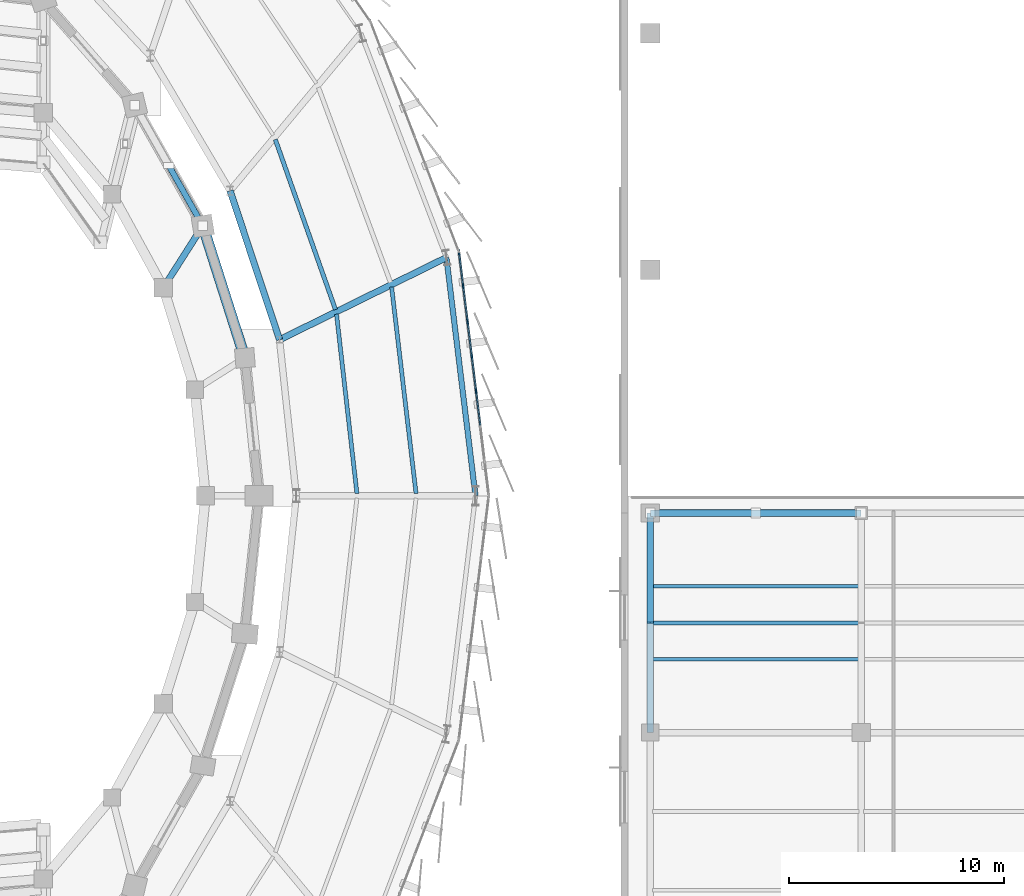
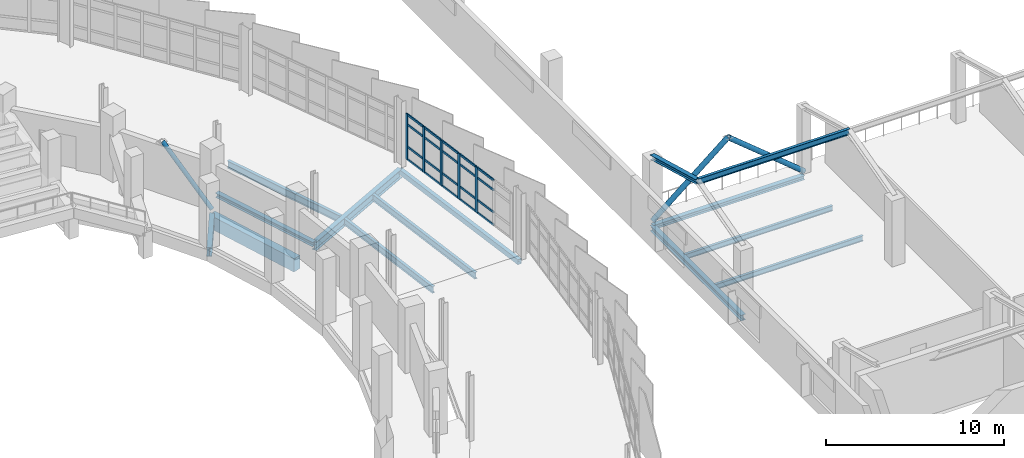
# One storey, part 67 of 120: 28 members, 14 beams, 1 element without a shape of its own.
"""IFC4 building model written with IfcOpenShell, lengths in metres."""

from ifc_helpers import new_model, si_unit, direction, frame, origin, origin_2d, place, context, subcontext, project, spatial, rectangle, hollow_rectangle, hollow_circle, i_section, extrude, material, layer, layer_set, material_profile, profile_set, type_object, element, aggregate, save


model = new_model("IFC4")

# Units and contexts
model_context = context("Model", 3, precision=1e-05, world=origin(), true_north=direction((0.0, 1.0)))
body_context = subcontext(model_context, "Body", "Model", "MODEL_VIEW")
ifc_project = project(units=[si_unit("LENGTHUNIT", "METRE"), si_unit("AREAUNIT", "SQUARE_METRE"), si_unit("VOLUMEUNIT", "CUBIC_METRE"), si_unit("PLANEANGLEUNIT", "RADIAN"), si_unit("MASSUNIT", "GRAM", prefix="KILO")], contexts=[model_context])

# Site, building, storey
site_placement = place(None, origin())
site = spatial("IfcSite", under=ifc_project, at=site_placement, CompositionType="ELEMENT")
building_placement = place(site_placement, origin())
building = spatial("IfcBuilding", under=site, at=building_placement, Name="Sohan Crest Arena", CompositionType="ELEMENT")
storey_placement = place(building_placement, frame((0.0, 0.0, 13.5)))
storey = spatial("IfcBuildingStorey", under=building, at=storey_placement, Name="L03", CompositionType="ELEMENT", Elevation=13.5)

# Curtain wall, members
ifc_material_1 = material(Name="Thermally broken anodised aluminium", Category="aluminium")
ifc_layer = layer(ifc_material_1, 0.2099609375, Name="Thermally broken anodised aluminium")
ifc_layer_set = layer_set([ifc_layer], Name="Thermally broken anodised aluminium")
curtain_wall_type = type_object("IfcCurtainWallType", Name="ARC-CW06", PredefinedType="NOTDEFINED", material=ifc_layer_set)
curtain_wall_placement = place(storey_placement, origin())
curtain_wall = element("IfcCurtainWall", 1, at=curtain_wall_placement, inside=storey, type_object=curtain_wall_type, Name="Unitised curtain wall CW-101", PredefinedType="NOTDEFINED")
ifc_material_profile_1 = material_profile(ifc_material_1, rectangle(XDim=0.074951171875, YDim=0.219970703125, at=origin_2d()), Name="ALU-MULL 75x220")
ifc_profile_set_1 = profile_set([ifc_material_profile_1], Name="Thermally broken anodised aluminium")
member_type_1 = type_object("IfcMemberType", Name="ARC-CW-ML04", PredefinedType="MULLION", material=ifc_profile_set_1)
member_1_placement = place(storey_placement, frame((188.10302734375, 82.865966796875, 0.0), z_axis=(0.0, 0.0, 1.0), x_axis=(-0.992536588605, -0.121947202838, 0.0)))
member_1 = element("IfcMember", 2, at=member_1_placement, type_object=member_type_1, Name="CW-101 mullion 4", PredefinedType="MULLION", context=body_context, shape_type="SweptSolid", body=[
    extrude(rectangle(XDim=0.074951171875, YDim=0.219970703125, at=origin_2d()), origin(), (0.0, 0.0, 1.0), 3.1201171875),
])
member_2_placement = place(storey_placement, frame((187.90380859375, 84.488037109375, 0.0), z_axis=(0.0, 0.0, 1.0), x_axis=(-0.992536588605, -0.121947202838, 0.0)))
member_2 = element("IfcMember", 3, at=member_2_placement, type_object=member_type_1, Name="CW-101 mullion 5", PredefinedType="MULLION", context=body_context, shape_type="SweptSolid", body=[
    extrude(rectangle(XDim=0.074951171875, YDim=0.219970703125, at=origin_2d()), origin(), (0.0, 0.0, 1.0), 3.1201171875),
])
member_3_placement = place(storey_placement, frame((187.70458984375, 86.110107421875, 0.0), z_axis=(0.0, 0.0, 1.0), x_axis=(-0.992536588605, -0.121947202838, 0.0)))
member_3 = element("IfcMember", 4, at=member_3_placement, type_object=member_type_1, Name="CW-101 mullion 6", PredefinedType="MULLION", context=body_context, shape_type="SweptSolid", body=[
    extrude(rectangle(XDim=0.074951171875, YDim=0.219970703125, at=origin_2d()), origin(), (0.0, 0.0, 1.0), 3.1201171875),
])
member_4_placement = place(storey_placement, frame((187.50537109375, 87.73193359375, 0.0), z_axis=(0.0, 0.0, 1.0), x_axis=(-0.992536588605, -0.121947202838, 0.0)))
member_4 = element("IfcMember", 5, at=member_4_placement, type_object=member_type_1, Name="CW-101 mullion 7", PredefinedType="MULLION", context=body_context, shape_type="SweptSolid", body=[
    extrude(rectangle(XDim=0.074951171875, YDim=0.219970703125, at=origin_2d()), origin(), (0.0, 0.0, 1.0), 3.1201171875),
])
member_5_placement = place(storey_placement, frame((187.310546875, 89.31689453125, 0.0), z_axis=(0.0, 0.0, 1.0), x_axis=(-0.992536588605, -0.121947202838, 0.0)))
member_5 = element("IfcMember", 6, at=member_5_placement, type_object=member_type_1, Name="CW-101 mullion 8", PredefinedType="MULLION", context=body_context, shape_type="SweptSolid", body=[
    extrude(rectangle(XDim=0.074951171875, YDim=0.219970703125, at=origin_2d()), origin(), (0.0, 0.0, 1.0), 3.1201171875),
])
ifc_material_profile_2 = material_profile(ifc_material_1, rectangle(XDim=0.070068359375, YDim=0.14990234375, at=origin_2d()), Name="ALU-TRAN 70x150")
ifc_profile_set_2 = profile_set([ifc_material_profile_2], Name="Thermally broken anodised aluminium")
member_type_2 = type_object("IfcMemberType", Name="ARC-CW-TR03", PredefinedType="USERDEFINED", material=ifc_profile_set_2)
member_6_placement = place(storey_placement, frame((188.2978515625, 81.28125, 0.034912109375), z_axis=(-0.121972485011, 0.992533482005, 0.0), x_axis=(-0.992533482005, -0.121972485011, 0.0)))
member_6 = element("IfcMember", 7, at=member_6_placement, type_object=member_type_2, Name="CW-101 transom 3.1", ObjectType="TRANSOM", PredefinedType="USERDEFINED", context=body_context, shape_type="SweptSolid", body=[
    extrude(rectangle(XDim=0.070068359375, YDim=0.14990234375, at=origin_2d()), origin(), (0.0, 0.0, 1.0), 1.559326171875),
])
member_7_placement = place(storey_placement, frame((188.2978515625, 81.28125, 0.89990234375), z_axis=(-0.121972485011, 0.992533482005, 0.0), x_axis=(-0.992533482005, -0.121972485011, 0.0)))
member_7 = element("IfcMember", 8, at=member_7_placement, type_object=member_type_2, Name="CW-101 transom 3.2", ObjectType="TRANSOM", PredefinedType="USERDEFINED", context=body_context, shape_type="SweptSolid", body=[
    extrude(rectangle(XDim=0.070068359375, YDim=0.14990234375, at=origin_2d()), origin(), (0.0, 0.0, 1.0), 1.559326171875),
])
member_8_placement = place(storey_placement, frame((188.2978515625, 81.28125, 2.419921875), z_axis=(-0.121972485011, 0.992533482005, 0.0), x_axis=(-0.992533482005, -0.121972485011, 0.0)))
member_8 = element("IfcMember", 9, at=member_8_placement, type_object=member_type_2, Name="CW-101 transom 3.3", ObjectType="TRANSOM", PredefinedType="USERDEFINED", context=body_context, shape_type="SweptSolid", body=[
    extrude(rectangle(XDim=0.070068359375, YDim=0.14990234375, at=origin_2d()), origin(), (0.0, 0.0, 1.0), 1.559326171875),
])
member_9_placement = place(storey_placement, frame((188.2978515625, 81.28125, 3.0849609375), z_axis=(-0.121972485011, 0.992533482005, 0.0), x_axis=(-0.992533482005, -0.121972485011, 0.0)))
member_9 = element("IfcMember", 10, at=member_9_placement, type_object=member_type_2, Name="CW-101 transom 3.4", ObjectType="TRANSOM", PredefinedType="USERDEFINED", context=body_context, shape_type="SweptSolid", body=[
    extrude(rectangle(XDim=0.070068359375, YDim=0.14990234375, at=origin_2d()), origin(), (0.0, 0.0, 1.0), 1.559326171875),
])
member_10_placement = place(storey_placement, frame((188.0986328125, 82.9033203125, 0.034912109375), z_axis=(-0.121991443269, 0.99253115204, 0.0), x_axis=(-0.99253115204, -0.121991443269, 0.0)))
member_10 = element("IfcMember", 11, at=member_10_placement, type_object=member_type_2, Name="CW-101 transom 4.1", ObjectType="TRANSOM", PredefinedType="USERDEFINED", context=body_context, shape_type="SweptSolid", body=[
    extrude(rectangle(XDim=0.070068359375, YDim=0.14990234375, at=origin_2d()), origin(), (0.0, 0.0, 1.0), 1.55908203125),
])
member_11_placement = place(storey_placement, frame((188.0986328125, 82.9033203125, 0.89990234375), z_axis=(-0.121991443269, 0.99253115204, 0.0), x_axis=(-0.99253115204, -0.121991443269, 0.0)))
member_11 = element("IfcMember", 12, at=member_11_placement, type_object=member_type_2, Name="CW-101 transom 4.2", ObjectType="TRANSOM", PredefinedType="USERDEFINED", context=body_context, shape_type="SweptSolid", body=[
    extrude(rectangle(XDim=0.070068359375, YDim=0.14990234375, at=origin_2d()), origin(), (0.0, 0.0, 1.0), 1.55908203125),
])
member_12_placement = place(storey_placement, frame((188.0986328125, 82.9033203125, 2.419921875), z_axis=(-0.121991443269, 0.99253115204, 0.0), x_axis=(-0.99253115204, -0.121991443269, 0.0)))
member_12 = element("IfcMember", 13, at=member_12_placement, type_object=member_type_2, Name="CW-101 transom 4.3", ObjectType="TRANSOM", PredefinedType="USERDEFINED", context=body_context, shape_type="SweptSolid", body=[
    extrude(rectangle(XDim=0.070068359375, YDim=0.14990234375, at=origin_2d()), origin(), (0.0, 0.0, 1.0), 1.55908203125),
])
member_13_placement = place(storey_placement, frame((188.0986328125, 82.9033203125, 3.0849609375), z_axis=(-0.121991443269, 0.99253115204, 0.0), x_axis=(-0.99253115204, -0.121991443269, 0.0)))
member_13 = element("IfcMember", 14, at=member_13_placement, type_object=member_type_2, Name="CW-101 transom 4.4", ObjectType="TRANSOM", PredefinedType="USERDEFINED", context=body_context, shape_type="SweptSolid", body=[
    extrude(rectangle(XDim=0.070068359375, YDim=0.14990234375, at=origin_2d()), origin(), (0.0, 0.0, 1.0), 1.55908203125),
])
member_14_placement = place(storey_placement, frame((187.899169921875, 84.525146484375, 0.034912109375), z_axis=(-0.121818234297, 0.992552425715, 0.0), x_axis=(-0.992552425715, -0.121818234297, 0.0)))
member_14 = element("IfcMember", 15, at=member_14_placement, type_object=member_type_2, Name="CW-101 transom 5.1", ObjectType="TRANSOM", PredefinedType="USERDEFINED", context=body_context, shape_type="SweptSolid", body=[
    extrude(rectangle(XDim=0.070068359375, YDim=0.14990234375, at=origin_2d()), origin(), (0.0, 0.0, 1.0), 1.559326171875),
])
member_15_placement = place(storey_placement, frame((187.899169921875, 84.525146484375, 0.89990234375), z_axis=(-0.121818234297, 0.992552425715, 0.0), x_axis=(-0.992552425715, -0.121818234297, 0.0)))
member_15 = element("IfcMember", 16, at=member_15_placement, type_object=member_type_2, Name="CW-101 transom 5.2", ObjectType="TRANSOM", PredefinedType="USERDEFINED", context=body_context, shape_type="SweptSolid", body=[
    extrude(rectangle(XDim=0.070068359375, YDim=0.14990234375, at=origin_2d()), origin(), (0.0, 0.0, 1.0), 1.559326171875),
])
member_16_placement = place(storey_placement, frame((187.899169921875, 84.525146484375, 2.419921875), z_axis=(-0.121818234297, 0.992552425715, 0.0), x_axis=(-0.992552425715, -0.121818234297, 0.0)))
member_16 = element("IfcMember", 17, at=member_16_placement, type_object=member_type_2, Name="CW-101 transom 5.3", ObjectType="TRANSOM", PredefinedType="USERDEFINED", context=body_context, shape_type="SweptSolid", body=[
    extrude(rectangle(XDim=0.070068359375, YDim=0.14990234375, at=origin_2d()), origin(), (0.0, 0.0, 1.0), 1.559326171875),
])
member_17_placement = place(storey_placement, frame((187.899169921875, 84.525146484375, 3.0849609375), z_axis=(-0.121818234297, 0.992552425715, 0.0), x_axis=(-0.992552425715, -0.121818234297, 0.0)))
member_17 = element("IfcMember", 18, at=member_17_placement, type_object=member_type_2, Name="CW-101 transom 5.4", ObjectType="TRANSOM", PredefinedType="USERDEFINED", context=body_context, shape_type="SweptSolid", body=[
    extrude(rectangle(XDim=0.070068359375, YDim=0.14990234375, at=origin_2d()), origin(), (0.0, 0.0, 1.0), 1.559326171875),
])
member_18_placement = place(storey_placement, frame((187.699951171875, 86.147216796875, 0.034912109375), z_axis=(-0.121972485011, 0.992533482005, 0.0), x_axis=(-0.992533482005, -0.121972485011, 0.0)))
member_18 = element("IfcMember", 19, at=member_18_placement, type_object=member_type_2, Name="CW-101 transom 6.1", ObjectType="TRANSOM", PredefinedType="USERDEFINED", context=body_context, shape_type="SweptSolid", body=[
    extrude(rectangle(XDim=0.070068359375, YDim=0.14990234375, at=origin_2d()), origin(), (0.0, 0.0, 1.0), 1.559326171875),
])
member_19_placement = place(storey_placement, frame((187.699951171875, 86.147216796875, 0.89990234375), z_axis=(-0.121972485011, 0.992533482005, 0.0), x_axis=(-0.992533482005, -0.121972485011, 0.0)))
member_19 = element("IfcMember", 20, at=member_19_placement, type_object=member_type_2, Name="CW-101 transom 6.2", ObjectType="TRANSOM", PredefinedType="USERDEFINED", context=body_context, shape_type="SweptSolid", body=[
    extrude(rectangle(XDim=0.070068359375, YDim=0.14990234375, at=origin_2d()), origin(), (0.0, 0.0, 1.0), 1.559326171875),
])
member_20_placement = place(storey_placement, frame((187.699951171875, 86.147216796875, 2.419921875), z_axis=(-0.121972485011, 0.992533482005, 0.0), x_axis=(-0.992533482005, -0.121972485011, 0.0)))
member_20 = element("IfcMember", 21, at=member_20_placement, type_object=member_type_2, Name="CW-101 transom 6.3", ObjectType="TRANSOM", PredefinedType="USERDEFINED", context=body_context, shape_type="SweptSolid", body=[
    extrude(rectangle(XDim=0.070068359375, YDim=0.14990234375, at=origin_2d()), origin(), (0.0, 0.0, 1.0), 1.559326171875),
])
member_21_placement = place(storey_placement, frame((187.699951171875, 86.147216796875, 3.0849609375), z_axis=(-0.121972485011, 0.992533482005, 0.0), x_axis=(-0.992533482005, -0.121972485011, 0.0)))
member_21 = element("IfcMember", 22, at=member_21_placement, type_object=member_type_2, Name="CW-101 transom 6.4", ObjectType="TRANSOM", PredefinedType="USERDEFINED", context=body_context, shape_type="SweptSolid", body=[
    extrude(rectangle(XDim=0.070068359375, YDim=0.14990234375, at=origin_2d()), origin(), (0.0, 0.0, 1.0), 1.559326171875),
])
member_22_placement = place(storey_placement, frame((187.500732421875, 87.769287109375, 0.034912109375), z_axis=(-0.121941216666, 0.992537324073, 0.0), x_axis=(-0.992537324073, -0.121941216666, 0.0)))
member_22 = element("IfcMember", 23, at=member_22_placement, type_object=member_type_2, Name="CW-101 transom 7.1", ObjectType="TRANSOM", PredefinedType="USERDEFINED", context=body_context, shape_type="SweptSolid", body=[
    extrude(rectangle(XDim=0.070068359375, YDim=0.14990234375, at=origin_2d()), origin(), (0.0, 0.0, 1.0), 1.521728515625),
])
member_23_placement = place(storey_placement, frame((187.500732421875, 87.769287109375, 0.89990234375), z_axis=(-0.121941216666, 0.992537324073, 0.0), x_axis=(-0.992537324073, -0.121941216666, 0.0)))
member_23 = element("IfcMember", 24, at=member_23_placement, type_object=member_type_2, Name="CW-101 transom 7.2", ObjectType="TRANSOM", PredefinedType="USERDEFINED", context=body_context, shape_type="SweptSolid", body=[
    extrude(rectangle(XDim=0.070068359375, YDim=0.14990234375, at=origin_2d()), origin(), (0.0, 0.0, 1.0), 1.521728515625),
])
member_24_placement = place(storey_placement, frame((187.500732421875, 87.769287109375, 2.419921875), z_axis=(-0.121941216666, 0.992537324073, 0.0), x_axis=(-0.992537324073, -0.121941216666, 0.0)))
member_24 = element("IfcMember", 25, at=member_24_placement, type_object=member_type_2, Name="CW-101 transom 7.3", ObjectType="TRANSOM", PredefinedType="USERDEFINED", context=body_context, shape_type="SweptSolid", body=[
    extrude(rectangle(XDim=0.070068359375, YDim=0.14990234375, at=origin_2d()), origin(), (0.0, 0.0, 1.0), 1.521728515625),
])
member_25_placement = place(storey_placement, frame((187.500732421875, 87.769287109375, 3.0849609375), z_axis=(-0.121941216666, 0.992537324073, 0.0), x_axis=(-0.992537324073, -0.121941216666, 0.0)))
member_25 = element("IfcMember", 26, at=member_25_placement, type_object=member_type_2, Name="CW-101 transom 7.4", ObjectType="TRANSOM", PredefinedType="USERDEFINED", context=body_context, shape_type="SweptSolid", body=[
    extrude(rectangle(XDim=0.070068359375, YDim=0.14990234375, at=origin_2d()), origin(), (0.0, 0.0, 1.0), 1.521728515625),
])
aggregate(curtain_wall, [member_1, member_2, member_3, member_4, member_5, member_6, member_7, member_8, member_9, member_10, member_11, member_12, member_13, member_14, member_15, member_16, member_17, member_18, member_19, member_20, member_21, member_22, member_23, member_24, member_25])

# Beams
ifc_material_2 = material(Name="Steel S355", Category="steel")
ifc_material_profile_3 = material_profile(ifc_material_2, i_section(OverallWidth=0.169921875, OverallDepth=0.360107421875, WebThickness=0.008056640625, FlangeThickness=0.0126953125, at=origin_2d()), Name="IPE 360")
ifc_profile_set_3 = profile_set([ifc_material_profile_3], Name="Steel S355")
beam_type_1 = type_object("IfcBeamType", Name="STR-BM-B02", PredefinedType="JOIST", material=ifc_profile_set_3)
for number, where, z_axis, x_axis, name in (
    (27, (196.31005859375, 70.39990234375, -0.409912109375), (1.0, 0.0, 0.0), (0.0, 1.0, 0.0), "Structural beam J-L03-2373"),
    (28, (196.31005859375, 73.800048828125, -0.409912109375), (1.0, 0.0, 0.0), (0.0, 1.0, 0.0), "Structural beam J-L03-2374"),
):
    element("IfcBeam", number, at=place(storey_placement, frame(where, z_axis=z_axis, x_axis=x_axis)), inside=storey, type_object=beam_type_1, Name=name, PredefinedType="JOIST", context=body_context, shape_type="SweptSolid", body=[
        extrude(i_section(OverallWidth=0.169921875, OverallDepth=0.360107421875, WebThickness=0.008056640625, FlangeThickness=0.0126953125, at=origin_2d()), origin(), (0.0, 0.0, 1.0), 9.579833984375),
    ])
ifc_material_profile_4 = material_profile(ifc_material_2, i_section(OverallWidth=0.179931640625, OverallDepth=0.39990234375, WebThickness=0.008544921875, FlangeThickness=0.013427734375, at=origin_2d()), Name="IPE 400")
ifc_profile_set_4 = profile_set([ifc_material_profile_4], Name="Steel S355")
beam_type_2 = type_object("IfcBeamType", Name="STR-BM-B03", PredefinedType="JOIST", material=ifc_profile_set_4)
beam_1_placement = place(storey_placement, frame((196.199951171875, 72.10009765625, 5.820068359375), z_axis=(1.0, 0.0, 0.0), x_axis=(0.0, 1.0, 0.0)))
element("IfcBeam", 29, at=beam_1_placement, inside=storey, type_object=beam_type_2, Name="Structural beam SVP-L03-3192", PredefinedType="JOIST", context=body_context, shape_type="SweptSolid", body=[
    extrude(i_section(OverallWidth=0.179931640625, OverallDepth=0.39990234375, WebThickness=0.008544921875, FlangeThickness=0.013427734375, at=origin_2d()), origin(), (0.0, 0.0, 1.0), 9.800048828125),
])
ifc_material_profile_5 = material_profile(ifc_material_2, i_section(OverallWidth=0.18994140625, OverallDepth=0.449951171875, WebThickness=0.009521484375, FlangeThickness=0.0146484375, at=origin_2d()), Name="IPE 450")
ifc_profile_set_5 = profile_set([ifc_material_profile_5], Name="Steel S355")
beam_type_3 = type_object("IfcBeamType", Name="STR-BM-B04", PredefinedType="JOIST", material=ifc_profile_set_5)
beam_2_placement = place(storey_placement, frame((182.569091796875, 78.10888671875, -0.47509765625), z_axis=(-0.11316313726, 0.993576420999, 0.0), x_axis=(-0.993576420999, -0.11316313726, 0.0)))
element("IfcBeam", 30, at=beam_2_placement, inside=storey, type_object=beam_type_3, Name="Structural beam J-L03-1503", PredefinedType="JOIST", context=body_context, shape_type="SweptSolid", body=[
    extrude(i_section(OverallWidth=0.18994140625, OverallDepth=0.449951171875, WebThickness=0.009521484375, FlangeThickness=0.0146484375, at=origin_2d()), origin(), (0.0, 0.0, 1.0), 8.385986328125),
])
beam_3_placement = place(storey_placement, frame((185.31591796875, 78.10888671875, -0.47509765625), z_axis=(-0.117608198901, 0.993060074493, 0.0), x_axis=(-0.993060074493, -0.117608198901, 0.0)))
element("IfcBeam", 31, at=beam_3_placement, inside=storey, type_object=beam_type_3, Name="Structural beam J-L03-1504", PredefinedType="JOIST", context=body_context, shape_type="SweptSolid", body=[
    extrude(i_section(OverallWidth=0.18994140625, OverallDepth=0.449951171875, WebThickness=0.009521484375, FlangeThickness=0.0146484375, at=origin_2d()), origin(), (0.0, 0.0, 1.0), 9.6591796875),
])
ifc_material_profile_6 = material_profile(ifc_material_2, i_section(OverallWidth=0.199951171875, OverallDepth=0.5, WebThickness=0.01025390625, FlangeThickness=0.01611328125, at=origin_2d()), Name="IPE 500")
ifc_profile_set_6 = profile_set([ifc_material_profile_6], Name="Steel S355")
beam_type_4 = type_object("IfcBeamType", Name="STR-BM-B05", PredefinedType="JOIST", material=ifc_profile_set_6)
beam_4_placement = place(storey_placement, frame((181.571044921875, 86.654052734375, -0.5), z_axis=(-0.333403454645, 0.942784247021, 0.0), x_axis=(-0.942784247021, -0.333403454645, 0.0)))
element("IfcBeam", 32, at=beam_4_placement, inside=storey, type_object=beam_type_4, Name="Structural beam J-L03-1508", PredefinedType="JOIST", context=body_context, shape_type="SweptSolid", body=[
    extrude(i_section(OverallWidth=0.199951171875, OverallDepth=0.5, WebThickness=0.01025390625, FlangeThickness=0.01611328125, at=origin_2d()), origin(), (0.0, 0.0, 1.0), 8.3837890625),
])
ifc_material_profile_7 = material_profile(ifc_material_2, i_section(OverallWidth=0.300048828125, OverallDepth=0.2900390625, WebThickness=0.008544921875, FlangeThickness=0.013916015625, at=origin_2d()), Name="HEA 300")
ifc_profile_set_7 = profile_set([ifc_material_profile_7], Name="Steel S355")
beam_type_5 = type_object("IfcBeamType", Name="STR-BM-B08", PredefinedType="BEAM", material=ifc_profile_set_7)
beam_5_placement = place(storey_placement, frame((196.199951171875, 77.199951171875, -0.375), z_axis=(1.0, 0.0, 0.0), x_axis=(0.0, 1.0, 0.0)))
element("IfcBeam", 33, at=beam_5_placement, inside=storey, type_object=beam_type_5, Name="Structural beam G-L03-2381", PredefinedType="BEAM", context=body_context, shape_type="SweptSolid", body=[
    extrude(i_section(OverallWidth=0.300048828125, OverallDepth=0.2900390625, WebThickness=0.008544921875, FlangeThickness=0.013916015625, at=origin_2d()), origin(), (0.0, 0.0, 1.0), 9.800048828125),
])
beam_6_placement = place(storey_placement, frame((196.199951171875, 72.10009765625, 5.820068359375), z_axis=(0.0, 0.964317135748, -0.264749809637), x_axis=(-1.0, 0.0, 0.0)))
element("IfcBeam", 34, at=beam_6_placement, inside=storey, type_object=beam_type_5, Name="Structural beam SVA-L03-3185", PredefinedType="BEAM", context=body_context, shape_type="SweptSolid", body=[
    extrude(i_section(OverallWidth=0.300048828125, OverallDepth=0.2900390625, WebThickness=0.008544921875, FlangeThickness=0.013916015625, at=origin_2d()), origin(), (0.0, 0.0, 1.0), 5.28857421875),
])
ifc_material_profile_8 = material_profile(ifc_material_2, i_section(OverallWidth=0.300048828125, OverallDepth=0.389892578125, WebThickness=0.010986328125, FlangeThickness=0.01904296875, at=origin_2d()), Name="HEA 400")
ifc_profile_set_8 = profile_set([ifc_material_profile_8], Name="Steel S355")
beam_type_6 = type_object("IfcBeamType", Name="STR-BM-B09", PredefinedType="BEAM", material=ifc_profile_set_8)
beam_7_placement = place(storey_placement, frame((196.199951171875, 67.0, -0.425048828125), z_axis=(0.0, 1.0, 0.0), x_axis=(-1.0, 0.0, 0.0)))
element("IfcBeam", 35, at=beam_7_placement, inside=storey, type_object=beam_type_6, Name="Structural beam G-L03-2347", PredefinedType="BEAM", context=body_context, shape_type="SweptSolid", body=[
    extrude(i_section(OverallWidth=0.300048828125, OverallDepth=0.389892578125, WebThickness=0.010986328125, FlangeThickness=0.01904296875, at=origin_2d()), origin(), (0.0, 0.0, 1.0), 10.199951171875),
])
ifc_material_profile_9 = material_profile(ifc_material_2, i_section(OverallWidth=0.300048828125, OverallDepth=0.590087890625, WebThickness=0.012939453125, FlangeThickness=0.02490234375, at=origin_2d()), Name="HEA 600")
ifc_profile_set_9 = profile_set([ifc_material_profile_9], Name="Steel S355")
beam_type_7 = type_object("IfcBeamType", Name="STR-BM-B11", PredefinedType="BEAM", material=ifc_profile_set_9)
beam_8_placement = place(storey_placement, frame((173.571044921875, 87.6640625, -0.544921875), z_axis=(0.537836706891, 0.843049035775, 0.0), x_axis=(-0.843049035775, 0.537836706891, 0.0)))
element("IfcBeam", 36, at=beam_8_placement, inside=storey, type_object=beam_type_7, Name="Structural beam G-L03-0631", PredefinedType="BEAM", context=body_context, shape_type="SweptSolid", body=[
    extrude(i_section(OverallWidth=0.300048828125, OverallDepth=0.590087890625, WebThickness=0.012939453125, FlangeThickness=0.02490234375, at=origin_2d()), origin(), (0.0, 0.0, 1.0), 3.417236328125),
])
beam_9_placement = place(storey_placement, frame((178.971923828125, 85.251953125, -0.544921875), z_axis=(0.897117109087, 0.441792816356, 0.0), x_axis=(-0.441792816356, 0.897117109087, 0.0)))
element("IfcBeam", 37, at=beam_9_placement, inside=storey, type_object=beam_type_7, Name="Structural beam G-L03-1505", PredefinedType="BEAM", context=body_context, shape_type="SweptSolid", body=[
    extrude(i_section(OverallWidth=0.300048828125, OverallDepth=0.590087890625, WebThickness=0.012939453125, FlangeThickness=0.02490234375, at=origin_2d()), origin(), (0.0, 0.0, 1.0), 8.642333984375),
])
ifc_material_profile_10 = material_profile(ifc_material_2, i_section(OverallWidth=0.300048828125, OverallDepth=0.300048828125, WebThickness=0.010986328125, FlangeThickness=0.01904296875, at=origin_2d()), Name="HEB 300")
ifc_profile_set_10 = profile_set([ifc_material_profile_10], Name="Steel S355")
beam_type_8 = type_object("IfcBeamType", Name="STR-BM-B12", PredefinedType="BEAM", material=ifc_profile_set_10)
beam_10_placement = place(storey_placement, frame((178.971923828125, 85.251953125, -0.39990234375), z_axis=(-0.315012572955, 0.949087498011, 0.0), x_axis=(-0.949087498011, -0.315012572955, 0.0)))
element("IfcBeam", 38, at=beam_10_placement, inside=storey, type_object=beam_type_8, Name="Structural beam G-L03-1506", PredefinedType="BEAM", context=body_context, shape_type="SweptSolid", body=[
    extrude(i_section(OverallWidth=0.300048828125, OverallDepth=0.300048828125, WebThickness=0.010986328125, FlangeThickness=0.01904296875, at=origin_2d()), origin(), (0.0, 0.0, 1.0), 7.29443359375),
])
ifc_material_profile_11 = material_profile(ifc_material_2, hollow_rectangle(XDim=0.25, YDim=0.35009765625, WallThickness=0.012451171875, at=origin_2d()), Name="RHS 350x250x12.5")
ifc_profile_set_11 = profile_set([ifc_material_profile_11], Name="Steel S355")
beam_type_9 = type_object("IfcBeamType", Name="STR-BM-SP04", PredefinedType="SPANDREL", material=ifc_profile_set_11)
beam_11_placement = place(storey_placement, frame((188.076904296875, 78.0, -0.425048828125), z_axis=(-0.121213260401, 0.992626488415, 0.0), x_axis=(-0.992626488415, -0.121213260401, 0.0)))
element("IfcBeam", 39, at=beam_11_placement, inside=storey, type_object=beam_type_9, Name="Structural beam SP-L03-1502", PredefinedType="SPANDREL", context=body_context, shape_type="SweptSolid", body=[
    extrude(hollow_rectangle(XDim=0.25, YDim=0.35009765625, WallThickness=0.012451171875, at=origin_2d()), origin(), (0.0, 0.0, 1.0), 11.15234375),
])
ifc_material_3 = material(Name="Concrete C40/50", Category="concrete")
ifc_material_profile_12 = material_profile(ifc_material_3, rectangle(XDim=0.5, YDim=0.89990234375, at=origin_2d()), Name="RC-BM 500x900")
ifc_profile_set_12 = profile_set([ifc_material_profile_12], Name="Concrete C40/50")
beam_type_10 = type_object("IfcBeamType", Name="STR-BM-TB03", PredefinedType="BEAM", material=ifc_profile_set_12)
beam_12_placement = place(storey_placement, frame((177.363037109375, 84.406982421875, -0.699951171875), z_axis=(-0.303361657972, 0.952875492639, 0.0), x_axis=(-0.952875492639, -0.303361657972, 0.0)))
element("IfcBeam", 40, at=beam_12_placement, inside=storey, type_object=beam_type_10, Name="Structural beam TB-L03-0607", PredefinedType="BEAM", context=body_context, shape_type="SweptSolid", body=[
    extrude(rectangle(XDim=0.5, YDim=0.89990234375, at=origin_2d()), origin(), (0.0, 0.0, 1.0), 6.44140625),
])

# Members
ifc_material_profile_13 = material_profile(ifc_material_2, hollow_circle(Radius=0.136474609375, WallThickness=0.012451171875, at=origin_2d()), Name="CHS 273x12.5")
ifc_profile_set_13 = profile_set([ifc_material_profile_13], Name="Steel S355")
member_type_3 = type_object("IfcMemberType", Name="STR-MEM-BR02", PredefinedType="BRACE", material=ifc_profile_set_13)
member_26_placement = place(storey_placement, frame((175.408935546875, 90.544921875, 0.0), z_axis=(-0.332804726156, 0.589748041878, 0.735824884975), x_axis=(-0.870898615033, -0.491462717134, 0.0)))
element("IfcMember", 41, at=member_26_placement, inside=storey, type_object=member_type_3, Name="Concentric lateral chevron brace BR-031", PredefinedType="BRACE", context=body_context, shape_type="SweptSolid", body=[
    extrude(hollow_circle(Radius=0.136474609375, WallThickness=0.012451171875, at=origin_2d()), origin(), (0.0, 0.0, 1.0), 4.756591796875),
])
ifc_material_profile_14 = material_profile(ifc_material_2, hollow_circle(Radius=0.161865234375, WallThickness=0.012451171875, at=origin_2d()), Name="CHS 323.9x12.5")
ifc_profile_set_14 = profile_set([ifc_material_profile_14], Name="Steel S355")
member_type_4 = type_object("IfcMemberType", Name="STR-MEM-BR03", PredefinedType="BRACE", material=ifc_profile_set_14)
member_27_placement = place(storey_placement, frame((196.199951171875, 77.199951171875, 0.0), z_axis=(0.773120832569, 0.0, 0.634258762846), x_axis=(0.0, 1.0, 0.0)))
element("IfcMember", 42, at=member_27_placement, inside=storey, type_object=member_type_4, Name="Practice hall chevron brace BR-045", PredefinedType="BRACE", context=body_context, shape_type="SweptSolid", body=[
    extrude(hollow_circle(Radius=0.161865234375, WallThickness=0.012451171875, at=origin_2d()), origin(), (0.0, 0.0, 1.0), 6.338134765625),
])
member_28_placement = place(storey_placement, frame((206.0, 77.199951171875, 0.0), z_axis=(-0.773105336173, 0.0, 0.634277651491), x_axis=(0.0, -1.0, 0.0)))
element("IfcMember", 43, at=member_28_placement, inside=storey, type_object=member_type_4, Name="Practice hall chevron brace BR-046", PredefinedType="BRACE", context=body_context, shape_type="SweptSolid", body=[
    extrude(hollow_circle(Radius=0.161865234375, WallThickness=0.012451171875, at=origin_2d()), origin(), (0.0, 0.0, 1.0), 6.337890625),
])

save(model, "model.ifc")
